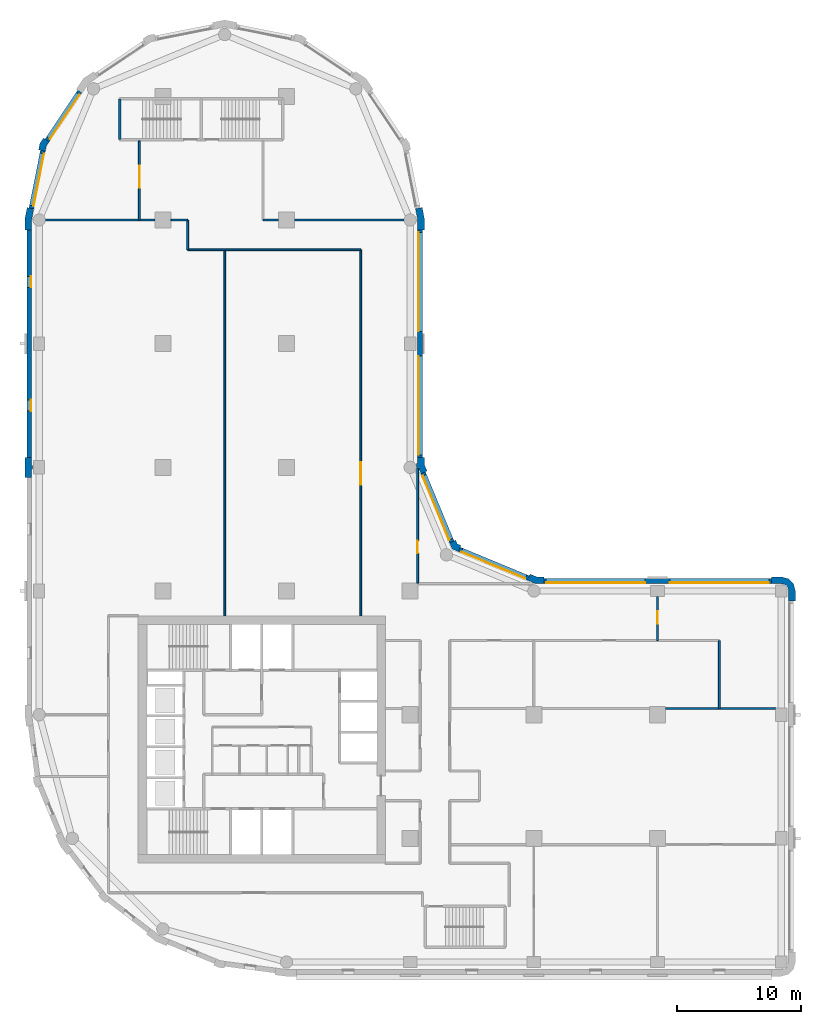
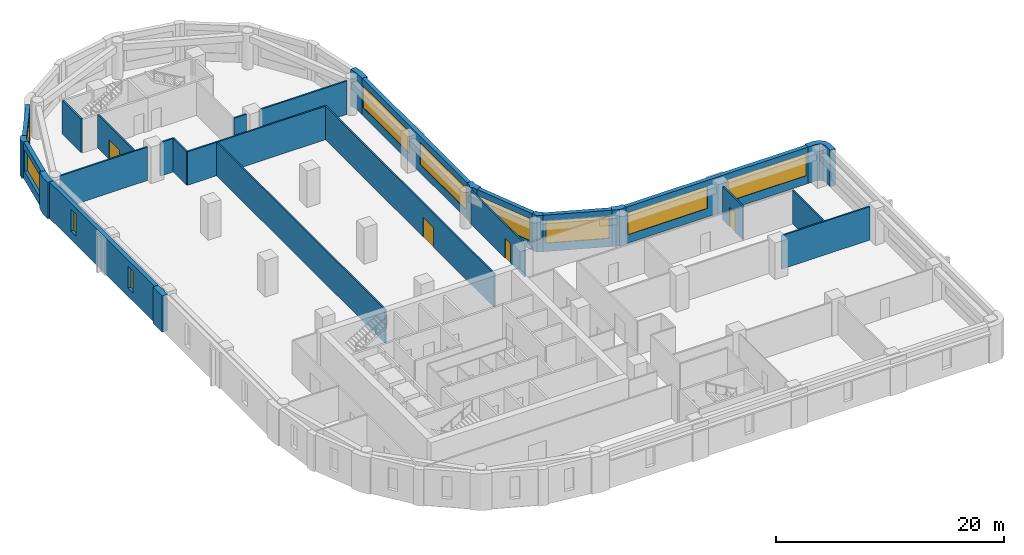
# One storey, part 5 of 9: 29 walls, 10 windows, 4 doors, 14 openings.
"""IFC4 building model written with IfcOpenShell, lengths in metres."""

from ifc_helpers import new_model, si_unit, direction, frame, frame_2d, origin, place, context, subcontext, project, spatial, polyline, rectangle, outline, extrude, material, layer, layer_set, type_object, element, fill, save


model = new_model("IFC4")

# Units and contexts
model_context = context("Model", 3, precision=1e-05, world=origin(), true_north=direction((0.0, 1.0)))
body_context = subcontext(model_context, "Body", "Model", "MODEL_VIEW")
ifc_project = project(units=[si_unit("LENGTHUNIT", "METRE"), si_unit("AREAUNIT", "SQUARE_METRE"), si_unit("VOLUMEUNIT", "CUBIC_METRE"), si_unit("PLANEANGLEUNIT", "RADIAN"), si_unit("MASSUNIT", "GRAM", prefix="KILO")], contexts=[model_context])

# Site, building, storey
site_placement = place(None, origin())
site = spatial("IfcSite", under=ifc_project, at=site_placement, CompositionType="ELEMENT")
building_placement = place(site_placement, origin())
building = spatial("IfcBuilding", under=site, at=building_placement, Name="Qaws Garden Tower", CompositionType="ELEMENT")
storey_placement = place(building_placement, frame((0.0, 0.0, 221.39990234375)))
storey = spatial("IfcBuildingStorey", under=building, at=storey_placement, Name="L54", CompositionType="ELEMENT", Elevation=221.39990234375)

# Wall
ifc_material_1 = material(Name="Clay facing brick masonry", Category="masonry")
ifc_layer_1 = layer(ifc_material_1, 0.550048828125)
ifc_layer_set_1 = layer_set([ifc_layer_1], Name="Clay facing brick masonry")
wall_type_1 = type_object("IfcWallType", Name="Brick corner pier 550 x 2400", PredefinedType="SOLIDWALL", material=ifc_layer_set_1)
placement = place(storey_placement, origin())
element("IfcWall", 1, at=placement, inside=storey, type_object=wall_type_1, Name="E-L54-pier-07", PredefinedType="SOLIDWALL", context=body_context, shape_type="SweptSolid", body=[
    extrude(outline(polyline([(61.0, 29.199951171875), (61.14990234375, 29.199951171875), (61.14990234375, 30.0), (60.995849609375, 30.574951171875), (60.574951171875, 30.995849609375), (60.0, 31.14990234375), (59.199951171875, 31.14990234375), (59.199951171875, 31.0), (59.199951171875, 30.60009765625), (60.0, 30.60009765625), (60.300048828125, 30.51953125), (60.51953125, 30.300048828125), (60.60009765625, 30.0), (60.60009765625, 29.199951171875), (61.0, 29.199951171875)])), origin(), (0.0, 0.0, 1.0), 3.900146484375),
])

# Wall, openings, windows
ifc_material_2 = material(Name="Clay facing brick masonry", Category="masonry")
ifc_layer_2 = layer(ifc_material_2, 0.39990234375)
ifc_layer_set_2 = layer_set([ifc_layer_2], Name="Clay facing brick masonry")
wall_type_2 = type_object("IfcWallType", Name="Brick infill wall 400", PredefinedType="SOLIDWALL", material=ifc_layer_set_2)
wall_2_placement = place(storey_placement, frame((59.199951171875, 30.800048828125, 0.0), z_axis=(0.0, 0.0, 1.0), x_axis=(-1.0, 0.0, 0.0)))
wall_2 = element("IfcWall", 2, at=wall_2_placement, inside=storey, type_object=wall_type_2, Name="E-L54-infill-07", PredefinedType="SOLIDWALL", context=body_context, shape_type="SweptSolid", body=[
    extrude(rectangle(XDim=18.39990234375, YDim=0.39990234375, at=frame_2d((9.199951171875, 0.0))), origin(), (0.0, 0.0, 1.0), 3.900146484375),
])
opening_1_placement = place(wall_2_placement, frame((0.199951171875, 0.0, 0.89990234375)))
opening_1 = element("IfcOpeningElement", 3, at=opening_1_placement, cuts=wall_2, Name="Opening W01", PredefinedType="OPENING", context=body_context, shape_type="SweptSolid", body=[
    extrude(rectangle(XDim=8.0, YDim=2.35009765625, at=frame_2d((4.0, 1.175048828125))), frame((0.0, 0.2099609375, 0.0), z_axis=(0.0, -1.0, 0.0), x_axis=(1.0, 0.0, 0.0)), (0.0, 0.0, 1.0), 0.419921875),
])
opening_2_placement = place(wall_2_placement, frame((10.199951171875, 0.0, 0.89990234375)))
opening_2 = element("IfcOpeningElement", 4, at=opening_2_placement, cuts=wall_2, Name="Opening W01", PredefinedType="OPENING", context=body_context, shape_type="SweptSolid", body=[
    extrude(rectangle(XDim=8.0, YDim=2.35009765625, at=frame_2d((4.0, 1.175048828125))), frame((0.0, 0.2099609375, 0.0), z_axis=(0.0, -1.0, 0.0), x_axis=(1.0, 0.0, 0.0)), (0.0, 0.0, 1.0), 0.419921875),
])
ifc_material_3 = material(Name="Aluminium framed window, clear glazing", Category="aluminium")
window_type_1 = type_object("IfcWindowType", Name="Ribbon window 8000 x 2350", PartitioningType="DOUBLE_PANEL_VERTICAL", PredefinedType="WINDOW", material=ifc_material_3)
window_1_placement = place(opening_1_placement, origin())
window_1 = element("IfcWindow", 5, at=window_1_placement, inside=storey, type_object=window_type_1, Name="E-L54-window-07-0", OverallHeight=2.35009765625, OverallWidth=8.0, PartitioningType="SINGLE_PANEL", PredefinedType="WINDOW", context=body_context, shape_type="SweptSolid", body=[
    extrude(rectangle(XDim=8.0, YDim=2.35009765625, at=frame_2d((4.0, 1.175048828125))), frame((0.0, 0.159912109375, 0.0), z_axis=(0.0, -1.0, 0.0), x_axis=(1.0, 0.0, 0.0)), (0.0, 0.0, 1.0), 0.06005859375),
])
fill(opening_1, window_1)
window_2_placement = place(opening_2_placement, origin())
window_2 = element("IfcWindow", 6, at=window_2_placement, inside=storey, type_object=window_type_1, Name="E-L54-window-08-0", OverallHeight=2.35009765625, OverallWidth=8.0, PartitioningType="SINGLE_PANEL", PredefinedType="WINDOW", context=body_context, shape_type="SweptSolid", body=[
    extrude(rectangle(XDim=8.0, YDim=2.35009765625, at=frame_2d((4.0, 1.175048828125))), frame((0.0, 0.159912109375, 0.0), z_axis=(0.0, -1.0, 0.0), x_axis=(1.0, 0.0, 0.0)), (0.0, 0.0, 1.0), 0.06005859375),
])
fill(opening_2, window_2)

# Wall, opening, window
wall_3_placement = place(storey_placement, frame((39.56689453125, 31.04541015625, 0.0), z_axis=(0.0, 0.0, 1.0), x_axis=(-0.923891000409, 0.382655745237, 0.0)))
wall_3 = element("IfcWall", 7, at=wall_3_placement, inside=storey, type_object=wall_type_2, Name="E-L54-infill-09", PredefinedType="SOLIDWALL", context=body_context, shape_type="SweptSolid", body=[
    extrude(rectangle(XDim=6.053466796875, YDim=0.39990234375, at=frame_2d((3.02685546875, 0.0))), origin(), (0.0, 0.0, 1.0), 3.900146484375),
])
opening_3_placement = place(wall_3_placement, frame((0.226806640625, 0.0, 0.89990234375)))
opening_3 = element("IfcOpeningElement", 8, at=opening_3_placement, cuts=wall_3, Name="Opening W04", PredefinedType="OPENING", context=body_context, shape_type="SweptSolid", body=[
    extrude(rectangle(XDim=5.60009765625, YDim=2.35009765625, at=frame_2d((2.800048828125, 1.175048828125))), frame((0.0, 0.2099609375, 0.0), z_axis=(0.0, -1.0, 0.0), x_axis=(1.0, 0.0, 0.0)), (0.0, 0.0, 1.0), 0.419921875),
])
ifc_material_4 = material(Name="Aluminium framed window, clear glazing", Category="aluminium")
window_type_2 = type_object("IfcWindowType", Name="Ribbon window 5600 x 2350", PartitioningType="DOUBLE_PANEL_VERTICAL", PredefinedType="WINDOW", material=ifc_material_4)
window_3_placement = place(opening_3_placement, origin())
window_3 = element("IfcWindow", 9, at=window_3_placement, inside=storey, type_object=window_type_2, Name="E-L54-window-09-0", OverallHeight=2.35009765625, OverallWidth=5.60009765625, PartitioningType="SINGLE_PANEL", PredefinedType="WINDOW", context=body_context, shape_type="SweptSolid", body=[
    extrude(rectangle(XDim=5.60009765625, YDim=2.35009765625, at=frame_2d((2.800048828125, 1.175048828125))), frame((0.0, 0.159912109375, 0.0), z_axis=(0.0, -1.0, 0.0), x_axis=(1.0, 0.0, 0.0)), (0.0, 0.0, 1.0), 0.06005859375),
])
fill(opening_3, window_3)

wall_4_placement = place(storey_placement, frame((33.36181640625, 33.97412109375, 0.0), z_axis=(0.0, 0.0, 1.0), x_axis=(-0.382655745237, 0.923891000409, 0.0)))
wall_4 = element("IfcWall", 10, at=wall_4_placement, inside=storey, type_object=wall_type_2, Name="E-L54-infill-10", PredefinedType="SOLIDWALL", context=body_context, shape_type="SweptSolid", body=[
    extrude(rectangle(XDim=6.053466796875, YDim=0.39990234375, at=frame_2d((3.02685546875, 0.0))), origin(), (0.0, 0.0, 1.0), 3.900146484375),
])
opening_4_placement = place(wall_4_placement, frame((0.226806640625, 0.0, 0.89990234375)))
opening_4 = element("IfcOpeningElement", 11, at=opening_4_placement, cuts=wall_4, Name="Opening W04", PredefinedType="OPENING", context=body_context, shape_type="SweptSolid", body=[
    extrude(rectangle(XDim=5.60009765625, YDim=2.35009765625, at=frame_2d((2.800048828125, 1.175048828125))), frame((0.0, 0.2099609375, 0.0), z_axis=(0.0, -1.0, 0.0), x_axis=(1.0, 0.0, 0.0)), (0.0, 0.0, 1.0), 0.419921875),
])
window_4_placement = place(opening_4_placement, origin())
window_4 = element("IfcWindow", 12, at=window_4_placement, inside=storey, type_object=window_type_2, Name="E-L54-window-10-0", OverallHeight=2.35009765625, OverallWidth=5.60009765625, PartitioningType="SINGLE_PANEL", PredefinedType="WINDOW", context=body_context, shape_type="SweptSolid", body=[
    extrude(rectangle(XDim=5.60009765625, YDim=2.35009765625, at=frame_2d((2.800048828125, 1.175048828125))), frame((0.0, 0.159912109375, 0.0), z_axis=(0.0, -1.0, 0.0), x_axis=(1.0, 0.0, 0.0)), (0.0, 0.0, 1.0), 0.06005859375),
])
fill(opening_4, window_4)

# Wall, openings, windows
wall_5_placement = place(storey_placement, frame((30.800048828125, 40.800048828125, 0.0), z_axis=(0.0, 0.0, 1.0), x_axis=(0.0, 1.0, 0.0)))
wall_5 = element("IfcWall", 13, at=wall_5_placement, inside=storey, type_object=wall_type_2, Name="E-L54-infill-11", PredefinedType="SOLIDWALL", context=body_context, shape_type="SweptSolid", body=[
    extrude(rectangle(XDim=18.39990234375, YDim=0.39990234375, at=frame_2d((9.199951171875, 0.0))), origin(), (0.0, 0.0, 1.0), 3.900146484375),
])
opening_5_placement = place(wall_5_placement, frame((0.199951171875, 0.0, 0.89990234375)))
opening_5 = element("IfcOpeningElement", 14, at=opening_5_placement, cuts=wall_5, Name="Opening W01", PredefinedType="OPENING", context=body_context, shape_type="SweptSolid", body=[
    extrude(rectangle(XDim=8.0, YDim=2.35009765625, at=frame_2d((4.0, 1.175048828125))), frame((0.0, 0.2099609375, 0.0), z_axis=(0.0, -1.0, 0.0), x_axis=(1.0, 0.0, 0.0)), (0.0, 0.0, 1.0), 0.419921875),
])
opening_6_placement = place(wall_5_placement, frame((10.199951171875, 0.0, 0.89990234375)))
opening_6 = element("IfcOpeningElement", 15, at=opening_6_placement, cuts=wall_5, Name="Opening W01", PredefinedType="OPENING", context=body_context, shape_type="SweptSolid", body=[
    extrude(rectangle(XDim=8.0, YDim=2.35009765625, at=frame_2d((4.0, 1.175048828125))), frame((0.0, 0.2099609375, 0.0), z_axis=(0.0, -1.0, 0.0), x_axis=(1.0, 0.0, 0.0)), (0.0, 0.0, 1.0), 0.419921875),
])
window_5_placement = place(opening_5_placement, origin())
window_5 = element("IfcWindow", 16, at=window_5_placement, inside=storey, type_object=window_type_1, Name="E-L54-window-11-0", OverallHeight=2.35009765625, OverallWidth=8.0, PartitioningType="SINGLE_PANEL", PredefinedType="WINDOW", context=body_context, shape_type="SweptSolid", body=[
    extrude(rectangle(XDim=8.0, YDim=2.35009765625, at=frame_2d((4.0, 1.175048828125))), frame((0.0, 0.159912109375, 0.0), z_axis=(0.0, -1.0, 0.0), x_axis=(1.0, 0.0, 0.0)), (0.0, 0.0, 1.0), 0.06005859375),
])
fill(opening_5, window_5)
window_6_placement = place(opening_6_placement, origin())
window_6 = element("IfcWindow", 17, at=window_6_placement, inside=storey, type_object=window_type_1, Name="E-L54-window-12-0", OverallHeight=2.35009765625, OverallWidth=8.0, PartitioningType="SINGLE_PANEL", PredefinedType="WINDOW", context=body_context, shape_type="SweptSolid", body=[
    extrude(rectangle(XDim=8.0, YDim=2.35009765625, at=frame_2d((4.0, 1.175048828125))), frame((0.0, 0.159912109375, 0.0), z_axis=(0.0, -1.0, 0.0), x_axis=(1.0, 0.0, 0.0)), (0.0, 0.0, 1.0), 0.06005859375),
])
fill(opening_6, window_6)

# Wall, opening, window
wall_6_placement = place(storey_placement, frame((3.28369140625, 70.385986328125, 0.0), z_axis=(0.0, 0.0, 1.0), x_axis=(-0.555541552266, -0.831488775454, 0.0)))
wall_6 = element("IfcWall", 18, at=wall_6_placement, inside=storey, type_object=wall_type_2, Name="E-L54-infill-19", PredefinedType="SOLIDWALL", context=body_context, shape_type="SweptSolid", body=[
    extrude(rectangle(XDim=4.752685546875, YDim=0.39990234375, at=frame_2d((2.37646484375, 0.0))), origin(), (0.0, 0.0, 1.0), 3.900146484375),
])
opening_7_placement = place(wall_6_placement, frame((0.226318359375, 0.0, 0.89990234375)))
opening_7 = element("IfcOpeningElement", 19, at=opening_7_placement, cuts=wall_6, Name="Opening W06", PredefinedType="OPENING", context=body_context, shape_type="SweptSolid", body=[
    extrude(rectangle(XDim=4.300048828125, YDim=2.35009765625, at=frame_2d((2.14990234375, 1.175048828125))), frame((0.0, 0.2099609375, 0.0), z_axis=(0.0, -1.0, 0.0), x_axis=(1.0, 0.0, 0.0)), (0.0, 0.0, 1.0), 0.419921875),
])
ifc_material_5 = material(Name="Aluminium framed window, clear glazing", Category="aluminium")
window_type_3 = type_object("IfcWindowType", Name="Ribbon window 4300 x 2350", PartitioningType="DOUBLE_PANEL_VERTICAL", PredefinedType="WINDOW", material=ifc_material_5)
window_7_placement = place(opening_7_placement, origin())
window_7 = element("IfcWindow", 20, at=window_7_placement, inside=storey, type_object=window_type_3, Name="E-L54-window-19-0", OverallHeight=2.35009765625, OverallWidth=4.300048828125, PartitioningType="SINGLE_PANEL", PredefinedType="WINDOW", context=body_context, shape_type="SweptSolid", body=[
    extrude(rectangle(XDim=4.300048828125, YDim=2.35009765625, at=frame_2d((2.14990234375, 1.175048828125))), frame((0.0, 0.159912109375, 0.0), z_axis=(0.0, -1.0, 0.0), x_axis=(1.0, 0.0, 0.0)), (0.0, 0.0, 1.0), 0.06005859375),
])
fill(opening_7, window_7)

wall_7_placement = place(storey_placement, frame((0.298583984375, 65.60205078125, 0.0), z_axis=(0.0, 0.0, 1.0), x_axis=(-0.195098533057, -0.98078364709, 0.0)))
wall_7 = element("IfcWall", 21, at=wall_7_placement, inside=storey, type_object=wall_type_2, Name="E-L54-infill-20", PredefinedType="SOLIDWALL", context=body_context, shape_type="SweptSolid", body=[
    extrude(rectangle(XDim=4.752685546875, YDim=0.39990234375, at=frame_2d((2.37646484375, 0.0))), origin(), (0.0, 0.0, 1.0), 3.900146484375),
])
opening_8_placement = place(wall_7_placement, frame((0.226318359375, 0.0, 0.89990234375)))
opening_8 = element("IfcOpeningElement", 22, at=opening_8_placement, cuts=wall_7, Name="Opening W06", PredefinedType="OPENING", context=body_context, shape_type="SweptSolid", body=[
    extrude(rectangle(XDim=4.300048828125, YDim=2.35009765625, at=frame_2d((2.14990234375, 1.175048828125))), frame((0.0, 0.2099609375, 0.0), z_axis=(0.0, -1.0, 0.0), x_axis=(1.0, 0.0, 0.0)), (0.0, 0.0, 1.0), 0.419921875),
])
window_8_placement = place(opening_8_placement, origin())
window_8 = element("IfcWindow", 23, at=window_8_placement, inside=storey, type_object=window_type_3, Name="E-L54-window-20-0", OverallHeight=2.35009765625, OverallWidth=4.300048828125, PartitioningType="SINGLE_PANEL", PredefinedType="WINDOW", context=body_context, shape_type="SweptSolid", body=[
    extrude(rectangle(XDim=4.300048828125, YDim=2.35009765625, at=frame_2d((2.14990234375, 1.175048828125))), frame((0.0, 0.159912109375, 0.0), z_axis=(0.0, -1.0, 0.0), x_axis=(1.0, 0.0, 0.0)), (0.0, 0.0, 1.0), 0.06005859375),
])
fill(opening_8, window_8)

# Wall, openings, windows
wall_8_placement = place(storey_placement, frame((-0.800048828125, 59.199951171875, 0.0), z_axis=(0.0, 0.0, 1.0), x_axis=(0.0, -1.0, 0.0)))
wall_8 = element("IfcWall", 24, at=wall_8_placement, inside=storey, type_object=wall_type_2, Name="E-L54-infill-21", PredefinedType="SOLIDWALL", context=body_context, shape_type="SweptSolid", body=[
    extrude(rectangle(XDim=18.39990234375, YDim=0.39990234375, at=frame_2d((9.199951171875, 0.0))), origin(), (0.0, 0.0, 1.0), 3.900146484375),
])
opening_9_placement = place(wall_8_placement, frame((3.75, 0.0, 0.89990234375)))
opening_9 = element("IfcOpeningElement", 25, at=opening_9_placement, cuts=wall_8, Name="Opening W09", PredefinedType="OPENING", context=body_context, shape_type="SweptSolid", body=[
    extrude(rectangle(XDim=0.89990234375, YDim=2.35009765625, at=frame_2d((0.449951171875, 1.175048828125))), frame((0.0, 0.2099609375, 0.0), z_axis=(0.0, -1.0, 0.0), x_axis=(1.0, 0.0, 0.0)), (0.0, 0.0, 1.0), 0.419921875),
])
opening_10_placement = place(wall_8_placement, frame((13.75, 0.0, 0.89990234375)))
opening_10 = element("IfcOpeningElement", 26, at=opening_10_placement, cuts=wall_8, Name="Opening W09", PredefinedType="OPENING", context=body_context, shape_type="SweptSolid", body=[
    extrude(rectangle(XDim=0.89990234375, YDim=2.35009765625, at=frame_2d((0.449951171875, 1.175048828125))), frame((0.0, 0.2099609375, 0.0), z_axis=(0.0, -1.0, 0.0), x_axis=(1.0, 0.0, 0.0)), (0.0, 0.0, 1.0), 0.419921875),
])
ifc_material_6 = material(Name="Aluminium framed window, clear glazing", Category="aluminium")
window_type_4 = type_object("IfcWindowType", Name="Slit window 900 x 2350", PartitioningType="SINGLE_PANEL", PredefinedType="WINDOW", material=ifc_material_6)
window_9_placement = place(opening_9_placement, origin())
window_9 = element("IfcWindow", 27, at=window_9_placement, inside=storey, type_object=window_type_4, Name="E-L54-window-21-0", OverallHeight=2.35009765625, OverallWidth=0.89990234375, PartitioningType="SINGLE_PANEL", PredefinedType="WINDOW", context=body_context, shape_type="SweptSolid", body=[
    extrude(rectangle(XDim=0.89990234375, YDim=2.35009765625, at=frame_2d((0.449951171875, 1.175048828125))), frame((0.0, 0.159912109375, 0.0), z_axis=(0.0, -1.0, 0.0), x_axis=(1.0, 0.0, 0.0)), (0.0, 0.0, 1.0), 0.06005859375),
])
fill(opening_9, window_9)
window_10_placement = place(opening_10_placement, origin())
window_10 = element("IfcWindow", 28, at=window_10_placement, inside=storey, type_object=window_type_4, Name="E-L54-window-22-0", OverallHeight=2.35009765625, OverallWidth=0.89990234375, PartitioningType="SINGLE_PANEL", PredefinedType="WINDOW", context=body_context, shape_type="SweptSolid", body=[
    extrude(rectangle(XDim=0.89990234375, YDim=2.35009765625, at=frame_2d((0.449951171875, 1.175048828125))), frame((0.0, 0.159912109375, 0.0), z_axis=(0.0, -1.0, 0.0), x_axis=(1.0, 0.0, 0.0)), (0.0, 0.0, 1.0), 0.06005859375),
])
fill(opening_10, window_10)

# Walls
ifc_material_7 = material(Name="Clay facing brick masonry", Category="masonry")
ifc_layer_3 = layer(ifc_material_7, 0.550048828125)
ifc_layer_set_3 = layer_set([ifc_layer_3], Name="Clay facing brick masonry")
wall_type_3 = type_object("IfcWallType", Name="Brick kink pier 550 x 600", PredefinedType="SOLIDWALL", material=ifc_layer_set_3)
element("IfcWall", 29, at=placement, inside=storey, type_object=wall_type_3, Name="E-L54-pier-20", PredefinedType="SOLIDWALL", context=body_context, shape_type="SweptSolid", body=[
    extrude(outline(polyline([(0.47705078125, 66.545166015625), (0.352294921875, 66.628662109375), (0.05859375, 66.18896484375), (-0.044677734375, 65.67041015625), (0.1025390625, 65.64111328125), (0.494873046875, 65.56298828125), (0.57666015625, 65.974365234375), (0.8095703125, 66.322998046875), (0.47705078125, 66.545166015625)])), origin(), (0.0, 0.0, 1.0), 3.900146484375),
])
ifc_material_8 = material(Name="Clay facing brick masonry", Category="masonry")
ifc_layer_4 = layer(ifc_material_8, 0.550048828125)
ifc_layer_set_4 = layer_set([ifc_layer_4], Name="Clay facing brick masonry")
wall_type_4 = type_object("IfcWallType", Name="Brick pier 550 x 1600", PredefinedType="SOLIDWALL", material=ifc_layer_set_4)
element("IfcWall", 30, at=placement, inside=storey, type_object=wall_type_4, Name="E-L54-pier-09", PredefinedType="SOLIDWALL", context=body_context, shape_type="SweptSolid", body=[
    extrude(outline(polyline([(40.800048828125, 31.0), (40.800048828125, 31.14990234375), (40.228759765625, 31.14990234375), (39.700927734375, 31.36865234375), (39.6435546875, 31.22998046875), (39.490478515625, 30.860595703125), (40.119384765625, 30.60009765625), (40.800048828125, 30.60009765625), (40.800048828125, 31.0)])), origin(), (0.0, 0.0, 1.0), 3.900146484375),
])
element("IfcWall", 31, at=placement, inside=storey, type_object=wall_type_4, Name="E-L54-pier-10", PredefinedType="SOLIDWALL", context=body_context, shape_type="SweptSolid", body=[
    extrude(outline(polyline([(34.05078125, 33.546630859375), (34.108154296875, 33.685302734375), (33.80908203125, 33.80908203125), (33.685302734375, 34.108154296875), (33.546630859375, 34.05078125), (33.177001953125, 33.897705078125), (33.38818359375, 33.38818359375), (33.897705078125, 33.177001953125), (34.05078125, 33.546630859375)])), origin(), (0.0, 0.0, 1.0), 3.900146484375),
])
element("IfcWall", 32, at=placement, inside=storey, type_object=wall_type_4, Name="E-L54-pier-11", PredefinedType="SOLIDWALL", context=body_context, shape_type="SweptSolid", body=[
    extrude(outline(polyline([(30.6201171875, 39.995361328125), (30.6201171875, 40.071044921875), (30.860595703125, 39.490478515625), (31.22998046875, 39.6435546875), (31.36865234375, 39.700927734375), (31.14990234375, 40.228759765625), (31.14990234375, 40.800048828125), (31.0, 40.800048828125), (30.60009765625, 40.800048828125), (30.60009765625, 40.29541015625), (30.5, 40.29541015625), (30.5, 39.995361328125), (30.6201171875, 39.995361328125)])), origin(), (0.0, 0.0, 1.0), 3.900146484375),
])
element("IfcWall", 33, at=placement, inside=storey, type_object=wall_type_4, Name="E-L54-pier-13", PredefinedType="SOLIDWALL", context=body_context, shape_type="SweptSolid", body=[
    extrude(outline(polyline([(31.0, 59.199951171875), (31.14990234375, 59.199951171875), (31.14990234375, 60.11328125), (30.971923828125, 61.009033203125), (30.82470703125, 60.979736328125), (30.432373046875, 60.901611328125), (30.60009765625, 60.05908203125), (30.60009765625, 59.199951171875), (31.0, 59.199951171875)])), origin(), (0.0, 0.0, 1.0), 3.900146484375),
])
element("IfcWall", 34, at=placement, inside=storey, type_object=wall_type_4, Name="E-L54-pier-21", PredefinedType="SOLIDWALL", context=body_context, shape_type="SweptSolid", body=[
    extrude(outline(polyline([(-0.82470703125, 60.979736328125), (-0.971923828125, 61.009033203125), (-1.14990234375, 60.11328125), (-1.14990234375, 59.199951171875), (-1.0, 59.199951171875), (-0.60009765625, 59.199951171875), (-0.60009765625, 60.05908203125), (-0.432373046875, 60.901611328125), (-0.82470703125, 60.979736328125)])), origin(), (0.0, 0.0, 1.0), 3.900146484375),
])
element("IfcWall", 35, at=placement, inside=storey, type_object=wall_type_4, Name="E-L54-pier-23", PredefinedType="SOLIDWALL", context=body_context, shape_type="SweptSolid", body=[
    extrude(outline(polyline([(-0.60009765625, 39.199951171875), (-0.60009765625, 39.85009765625), (-0.550048828125, 39.85009765625), (-0.550048828125, 40.14990234375), (-0.60009765625, 40.14990234375), (-0.60009765625, 40.800048828125), (-1.0, 40.800048828125), (-1.14990234375, 40.800048828125), (-1.14990234375, 40.0), (-1.14990234375, 39.199951171875), (-1.0, 39.199951171875), (-0.60009765625, 39.199951171875)])), origin(), (0.0, 0.0, 1.0), 3.900146484375),
])
ifc_material_9 = material(Name="Concrete C70", Category="concrete")
ifc_layer_5 = layer(ifc_material_9, 0.199951171875)
ifc_layer_set_5 = layer_set([ifc_layer_5], Name="Concrete C70")
wall_type_5 = type_object("IfcWallType", Name="Core shaft wall 200 C70", PredefinedType="SHEAR", material=ifc_layer_set_5)
wall_16_placement = place(storey_placement, frame((6.5, 66.5, 0.0), z_axis=(0.0, 0.0, 1.0), x_axis=(0.0, 1.0, 0.0)))
element("IfcWall", 36, at=wall_16_placement, inside=storey, type_object=wall_type_5, Name="Shaft wall", PredefinedType="SHEAR", context=body_context, shape_type="SweptSolid", body=[
    extrude(rectangle(XDim=3.300048828125, YDim=0.199951171875, at=frame_2d((1.64990234375, 0.0))), origin(), (0.0, 0.0, 1.0), 3.580078125),
])

# Wall, opening, door
ifc_material_10 = material(Name="Gypsum board partition")
ifc_layer_6 = layer(ifc_material_10, 0.14990234375)
ifc_layer_set_6 = layer_set([ifc_layer_6], Name="Gypsum board partition")
wall_type_6 = type_object("IfcWallType", Name="PARTITION 150 EI 60", PredefinedType="PARTITIONING", material=ifc_layer_set_6)
wall_17_placement = place(storey_placement, frame((8.10009765625, 60.0, 0.0), z_axis=(0.0, 0.0, 1.0), x_axis=(0.0, 1.0, 0.0)))
wall_17 = element("IfcWall", 37, at=wall_17_placement, inside=storey, type_object=wall_type_6, Name="O-L54-wall-004", PredefinedType="PARTITIONING", context=body_context, shape_type="SweptSolid", body=[
    extrude(rectangle(XDim=6.39990234375, YDim=0.14990234375, at=frame_2d((3.199951171875, 0.0))), origin(), (0.0, 0.0, 1.0), 3.580078125),
])
opening_11_placement = place(wall_17_placement, frame((2.60009765625, 0.0, 0.0)))
opening_11 = element("IfcOpeningElement", 38, at=opening_11_placement, cuts=wall_17, Name="Opening B805", PredefinedType="OPENING", context=body_context, shape_type="SweptSolid", body=[
    extrude(rectangle(XDim=1.800048828125, YDim=2.10009765625, at=frame_2d((0.89990234375, 1.050048828125))), frame((0.0, 0.0849609375, 0.0), z_axis=(0.0, -1.0, 0.0), x_axis=(1.0, 0.0, 0.0)), (0.0, 0.0, 1.0), 0.169921875),
])
ifc_material_11 = material(Name="Timber door leaf", Category="wood")
door_type_1 = type_object("IfcDoorType", Name="DOUBLE DOOR 1800 X 2100", OperationType="DOUBLE_DOOR_SINGLE_SWING", PredefinedType="DOOR", material=ifc_material_11)
door_1_placement = place(opening_11_placement, origin())
door_1 = element("IfcDoor", 39, at=door_1_placement, inside=storey, type_object=door_type_1, Name="O-L54-door-005", OperationType="DOUBLE_DOOR_SINGLE_SWING", OverallHeight=2.10009765625, OverallWidth=1.800048828125, PredefinedType="DOOR", context=body_context, shape_type="SweptSolid", body=[
    extrude(rectangle(XDim=1.800048828125, YDim=2.10009765625, at=frame_2d((0.89990234375, 1.050048828125))), frame((0.0, 0.02490234375, 0.0), z_axis=(0.0, -1.0, 0.0), x_axis=(1.0, 0.0, 0.0)), (0.0, 0.0, 1.0), 0.050048828125),
])
fill(opening_11, door_1)

# Walls
wall_18_placement = place(storey_placement, frame((12.0, 57.60009765625, 0.0), z_axis=(0.0, 0.0, 1.0), x_axis=(0.0, 1.0, 0.0)))
element("IfcWall", 40, at=wall_18_placement, inside=storey, type_object=wall_type_6, Name="O-L54-wall-005", PredefinedType="PARTITIONING", context=body_context, shape_type="SweptSolid", body=[
    extrude(rectangle(XDim=2.39990234375, YDim=0.14990234375, at=frame_2d((1.199951171875, 0.0))), origin(), (0.0, 0.0, 1.0), 3.580078125),
])
wall_19_placement = place(storey_placement, frame((15.0, 28.0, 0.0), z_axis=(0.0, 0.0, 1.0), x_axis=(0.0, 1.0, 0.0)))
element("IfcWall", 41, at=wall_19_placement, inside=storey, type_object=wall_type_6, Name="O-L54-wall-006", PredefinedType="PARTITIONING", context=body_context, shape_type="SweptSolid", body=[
    extrude(rectangle(XDim=29.60009765625, YDim=0.14990234375, at=frame_2d((14.800048828125, 0.0))), origin(), (0.0, 0.0, 1.0), 3.580078125),
])

# Wall, opening, door
wall_20_placement = place(storey_placement, frame((26.0, 28.0, 0.0), z_axis=(0.0, 0.0, 1.0), x_axis=(0.0, 1.0, 0.0)))
wall_20 = element("IfcWall", 42, at=wall_20_placement, inside=storey, type_object=wall_type_6, Name="O-L54-wall-008", PredefinedType="PARTITIONING", context=body_context, shape_type="SweptSolid", body=[
    extrude(rectangle(XDim=29.60009765625, YDim=0.14990234375, at=frame_2d((14.800048828125, 0.0))), origin(), (0.0, 0.0, 1.0), 3.580078125),
])
opening_12_placement = place(wall_20_placement, frame((10.60009765625, 0.0, 0.0)))
opening_12 = element("IfcOpeningElement", 43, at=opening_12_placement, cuts=wall_20, Name="Opening B803", PredefinedType="OPENING", context=body_context, shape_type="SweptSolid", body=[
    extrude(rectangle(XDim=1.800048828125, YDim=2.10009765625, at=frame_2d((0.89990234375, 1.050048828125))), frame((0.0, 0.0849609375, 0.0), z_axis=(0.0, -1.0, 0.0), x_axis=(1.0, 0.0, 0.0)), (0.0, 0.0, 1.0), 0.169921875),
])
door_2_placement = place(opening_12_placement, origin())
door_2 = element("IfcDoor", 44, at=door_2_placement, inside=storey, type_object=door_type_1, Name="O-L54-door-003", OperationType="DOUBLE_DOOR_SINGLE_SWING", OverallHeight=2.10009765625, OverallWidth=1.800048828125, PredefinedType="DOOR", context=body_context, shape_type="SweptSolid", body=[
    extrude(rectangle(XDim=1.800048828125, YDim=2.10009765625, at=frame_2d((0.89990234375, 1.050048828125))), frame((0.0, 0.02490234375, 0.0), z_axis=(0.0, -1.0, 0.0), x_axis=(1.0, 0.0, 0.0)), (0.0, 0.0, 1.0), 0.050048828125),
])
fill(opening_12, door_2)

wall_21_placement = place(storey_placement, frame((30.60009765625, 30.64990234375, 0.0), z_axis=(0.0, 0.0, 1.0), x_axis=(0.0, 1.0, 0.0)))
wall_21 = element("IfcWall", 45, at=wall_21_placement, inside=storey, type_object=wall_type_6, Name="O-L54-wall-009", PredefinedType="PARTITIONING", context=body_context, shape_type="SweptSolid", body=[
    extrude(rectangle(XDim=9.288330078125, YDim=0.14990234375, at=frame_2d((4.64404296875, 0.0))), origin(), (0.0, 0.0, 1.0), 3.580078125),
])
opening_13_placement = place(wall_21_placement, frame((2.39990234375, 0.0, 0.0)))
opening_13 = element("IfcOpeningElement", 46, at=opening_13_placement, cuts=wall_21, Name="Opening B807", PredefinedType="OPENING", context=body_context, shape_type="SweptSolid", body=[
    extrude(rectangle(XDim=1.0, YDim=2.10009765625, at=frame_2d((0.5, 1.050048828125))), frame((0.0, 0.0849609375, 0.0), z_axis=(0.0, -1.0, 0.0), x_axis=(1.0, 0.0, 0.0)), (0.0, 0.0, 1.0), 0.169921875),
])
ifc_material_12 = material(Name="Timber door leaf", Category="wood")
door_type_2 = type_object("IfcDoorType", Name="TENANCY ENTRANCE DOOR 1000 X 2100", OperationType="SINGLE_SWING_LEFT", PredefinedType="DOOR", material=ifc_material_12)
door_3_placement = place(opening_13_placement, frame((1.0, 0.0, 0.0), z_axis=(0.0, 0.0, 1.0), x_axis=(-1.0, 0.0, 0.0)))
door_3 = element("IfcDoor", 47, at=door_3_placement, inside=storey, type_object=door_type_2, Name="O-L54-door-007", OperationType="SINGLE_SWING_LEFT", OverallHeight=2.10009765625, OverallWidth=1.0, PredefinedType="DOOR", context=body_context, shape_type="SweptSolid", body=[
    extrude(rectangle(XDim=1.0, YDim=2.10009765625, at=frame_2d((0.5, 1.050048828125))), frame((0.0, 0.02490234375, 0.0), z_axis=(0.0, -1.0, 0.0), x_axis=(1.0, 0.0, 0.0)), (0.0, 0.0, 1.0), 0.050048828125),
])
fill(opening_13, door_3)

wall_22_placement = place(storey_placement, frame((50.0, 26.0, 0.0), z_axis=(0.0, 0.0, 1.0), x_axis=(0.0, 1.0, 0.0)))
wall_22 = element("IfcWall", 48, at=wall_22_placement, inside=storey, type_object=wall_type_6, Name="O-L54-wall-019", PredefinedType="PARTITIONING", context=body_context, shape_type="SweptSolid", body=[
    extrude(rectangle(XDim=3.550048828125, YDim=0.14990234375, at=frame_2d((1.77490234375, 0.0))), origin(), (0.0, 0.0, 1.0), 3.580078125),
])
opening_14_placement = place(wall_22_placement, frame((1.35009765625, 0.0, 0.0)))
opening_14 = element("IfcOpeningElement", 49, at=opening_14_placement, cuts=wall_22, Name="Opening B806", PredefinedType="OPENING", context=body_context, shape_type="SweptSolid", body=[
    extrude(rectangle(XDim=1.0, YDim=2.10009765625, at=frame_2d((0.5, 1.050048828125))), frame((0.0, 0.0849609375, 0.0), z_axis=(0.0, -1.0, 0.0), x_axis=(1.0, 0.0, 0.0)), (0.0, 0.0, 1.0), 0.169921875),
])
door_4_placement = place(opening_14_placement, frame((1.0, 0.0, 0.0), z_axis=(0.0, 0.0, 1.0), x_axis=(-1.0, 0.0, 0.0)))
door_4 = element("IfcDoor", 50, at=door_4_placement, inside=storey, type_object=door_type_2, Name="O-L54-door-006", OperationType="SINGLE_SWING_LEFT", OverallHeight=2.10009765625, OverallWidth=1.0, PredefinedType="DOOR", context=body_context, shape_type="SweptSolid", body=[
    extrude(rectangle(XDim=1.0, YDim=2.10009765625, at=frame_2d((0.5, 1.050048828125))), frame((0.0, 0.02490234375, 0.0), z_axis=(0.0, -1.0, 0.0), x_axis=(1.0, 0.0, 0.0)), (0.0, 0.0, 1.0), 0.050048828125),
])
fill(opening_14, door_4)

# Walls
wall_23_placement = place(storey_placement, frame((55.0, 20.5, 0.0), z_axis=(0.0, 0.0, 1.0), x_axis=(0.0, 1.0, 0.0)))
element("IfcWall", 51, at=wall_23_placement, inside=storey, type_object=wall_type_6, Name="O-L54-wall-020", PredefinedType="PARTITIONING", context=body_context, shape_type="SweptSolid", body=[
    extrude(rectangle(XDim=5.5, YDim=0.14990234375, at=frame_2d((2.75, 0.0))), origin(), (0.0, 0.0, 1.0), 3.580078125),
])
wall_24_placement = place(storey_placement, frame((50.64990234375, 20.5, 0.0), z_axis=(0.0, 0.0, 1.0), x_axis=(1.0, 0.0, 0.0)))
element("IfcWall", 52, at=wall_24_placement, inside=storey, type_object=wall_type_6, Name="O-L54-wall-035", PredefinedType="PARTITIONING", context=body_context, shape_type="SweptSolid", body=[
    extrude(rectangle(XDim=8.900146484375, YDim=0.14990234375, at=frame_2d((4.4501953125, 0.0))), origin(), (0.0, 0.0, 1.0), 3.580078125),
])
wall_25_placement = place(storey_placement, frame((12.0, 57.60009765625, 0.0), z_axis=(0.0, 0.0, 1.0), x_axis=(1.0, 0.0, 0.0)))
element("IfcWall", 53, at=wall_25_placement, inside=storey, type_object=wall_type_6, Name="O-L54-wall-040", PredefinedType="PARTITIONING", context=body_context, shape_type="SweptSolid", body=[
    extrude(rectangle(XDim=14.0, YDim=0.14990234375, at=frame_2d((7.0, 0.0))), origin(), (0.0, 0.0, 1.0), 3.580078125),
])
wall_26_placement = place(storey_placement, frame((0.5, 60.0, 0.0), z_axis=(0.0, 0.0, 1.0), x_axis=(1.0, 0.0, 0.0)))
element("IfcWall", 54, at=wall_26_placement, inside=storey, type_object=wall_type_6, Name="O-L54-wall-041", PredefinedType="PARTITIONING", context=body_context, shape_type="SweptSolid", body=[
    extrude(rectangle(XDim=8.85009765625, YDim=0.14990234375, at=frame_2d((4.425048828125, 0.0))), origin(), (0.0, 0.0, 1.0), 3.580078125),
])
wall_27_placement = place(storey_placement, frame((10.64990234375, 60.0, 0.0), z_axis=(0.0, 0.0, 1.0), x_axis=(1.0, 0.0, 0.0)))
element("IfcWall", 55, at=wall_27_placement, inside=storey, type_object=wall_type_6, Name="O-L54-wall-042", PredefinedType="PARTITIONING", context=body_context, shape_type="SweptSolid", body=[
    extrude(rectangle(XDim=1.35009765625, YDim=0.14990234375, at=frame_2d((0.675048828125, 0.0))), origin(), (0.0, 0.0, 1.0), 3.580078125),
])
wall_28_placement = place(storey_placement, frame((18.10009765625, 60.0, 0.0), z_axis=(0.0, 0.0, 1.0), x_axis=(1.0, 0.0, 0.0)))
element("IfcWall", 56, at=wall_28_placement, inside=storey, type_object=wall_type_6, Name="O-L54-wall-043", PredefinedType="PARTITIONING", context=body_context, shape_type="SweptSolid", body=[
    extrude(rectangle(XDim=1.25, YDim=0.14990234375, at=frame_2d((0.625, 0.0))), origin(), (0.0, 0.0, 1.0), 3.580078125),
])
wall_29_placement = place(storey_placement, frame((20.64990234375, 60.0, 0.0), z_axis=(0.0, 0.0, 1.0), x_axis=(1.0, 0.0, 0.0)))
element("IfcWall", 57, at=wall_29_placement, inside=storey, type_object=wall_type_6, Name="O-L54-wall-044", PredefinedType="PARTITIONING", context=body_context, shape_type="SweptSolid", body=[
    extrude(rectangle(XDim=8.85009765625, YDim=0.14990234375, at=frame_2d((4.425048828125, 0.0))), origin(), (0.0, 0.0, 1.0), 3.580078125),
])

save(model, "model.ifc")
